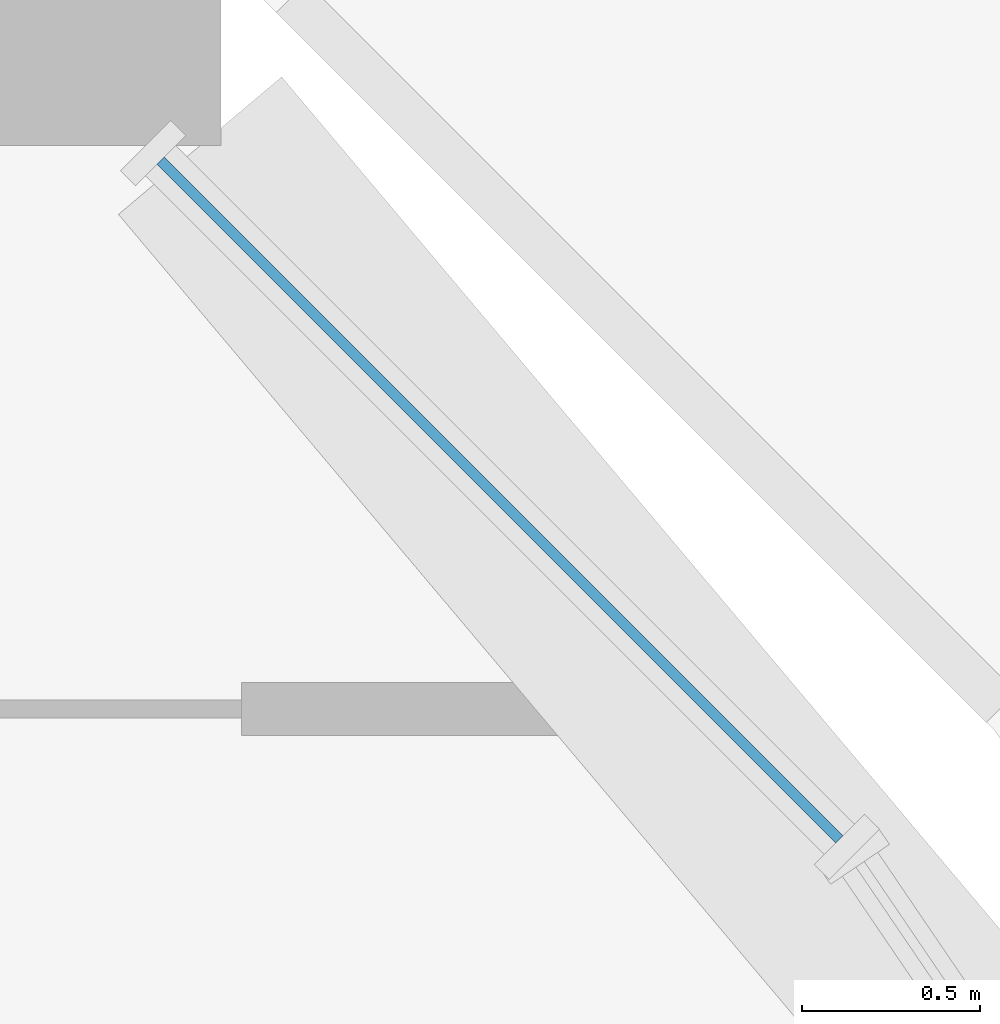
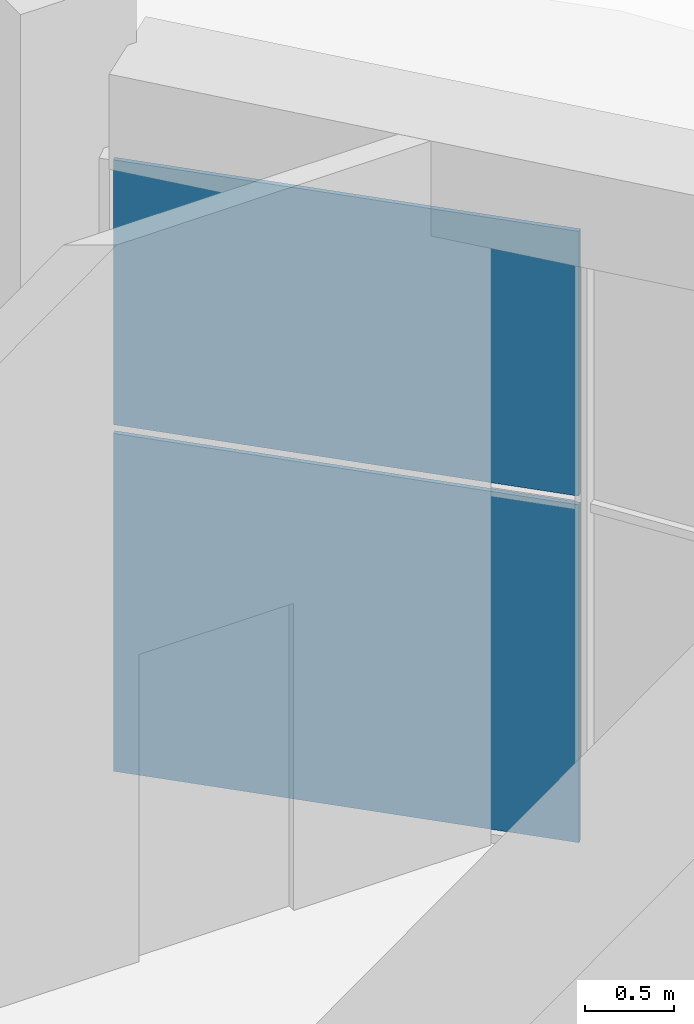
# One storey, part 14 of 24: 2 plates, 1 element without a shape of its own.
"""IFC4 building model written with IfcOpenShell, lengths in metres."""

from ifc_helpers import new_model, si_unit, direction, frame, origin, origin_2d, place, context, subcontext, project, spatial, rectangle, extrude, material, layer, layer_set, type_object, element, aggregate, save


model = new_model("IFC4")

# Units and contexts
model_context = context("Model", 3, precision=1e-05, world=origin(), true_north=direction((0.0, 1.0)))
body_context = subcontext(model_context, "Body", "Model", "MODEL_VIEW")
ifc_project = project(units=[si_unit("LENGTHUNIT", "METRE"), si_unit("AREAUNIT", "SQUARE_METRE"), si_unit("VOLUMEUNIT", "CUBIC_METRE"), si_unit("PLANEANGLEUNIT", "RADIAN"), si_unit("MASSUNIT", "GRAM", prefix="KILO")], contexts=[model_context])

# Site, building, storey
site_placement = place(None, origin())
site = spatial("IfcSite", under=ifc_project, at=site_placement, CompositionType="ELEMENT")
building_placement = place(site_placement, origin())
building = spatial("IfcBuilding", under=site, at=building_placement, Name="Kiln Ring Residences", CompositionType="ELEMENT")
storey_placement = place(building_placement, frame((0.0, 0.0, 283.699951171875)))
storey = spatial("IfcBuildingStorey", under=building, at=storey_placement, Name="L74", CompositionType="ELEMENT", Elevation=283.699951171875)

# Curtain wall, plates
ifc_material_1 = material(Name="Aluminium and glass", Category="aluminium")
ifc_layer_1 = layer(ifc_material_1, 0.199951171875)
ifc_layer_set_1 = layer_set([ifc_layer_1], Name="CW1 CURTAIN WALL")
curtain_wall_type = type_object("IfcCurtainWallType", Name="CW1 CURTAIN WALL", PredefinedType="NOTDEFINED", material=ifc_layer_set_1)
curtain_wall_placement = place(storey_placement, origin())
curtain_wall = element("IfcCurtainWall", 1, at=curtain_wall_placement, inside=storey, type_object=curtain_wall_type, Name="Curtain wall CW1 L74", PredefinedType="NOTDEFINED")
ifc_material_2 = material(Name="Glass, low-e laminated", Category="glass")
ifc_layer_2 = layer(ifc_material_2, 0.028076171875)
ifc_layer_set_2 = layer_set([ifc_layer_2], Name="CW1 PANEL 28")
plate_type = type_object("IfcPlateType", Name="CW1 PANEL 28", PredefinedType="CURTAIN_PANEL", material=ifc_layer_set_2)
plate_1_placement = place(storey_placement, frame((22.39990234375, 16.587890625, 0.06005859375), z_axis=(0.0, 0.0, 1.0), x_axis=(-0.707106781187, 0.707106781187, 0.0)))
plate_1 = element("IfcPlate", 2, at=plate_1_placement, type_object=plate_type, Name="CW1 panel 1.1", PredefinedType="CURTAIN_PANEL", context=body_context, shape_type="SweptSolid", body=[
    extrude(rectangle(XDim=2.69970703125, YDim=0.028076171875, at=origin_2d()), origin(), (0.0, 0.0, 1.0), 2.31005859375),
])
plate_2_placement = place(storey_placement, frame((22.39990234375, 16.587890625, 2.429931640625), z_axis=(0.0, 0.0, 1.0), x_axis=(-0.707106781187, 0.707106781187, 0.0)))
plate_2 = element("IfcPlate", 3, at=plate_2_placement, type_object=plate_type, Name="CW1 panel 1.2", PredefinedType="CURTAIN_PANEL", context=body_context, shape_type="SweptSolid", body=[
    extrude(rectangle(XDim=2.69970703125, YDim=0.028076171875, at=origin_2d()), origin(), (0.0, 0.0, 1.0), 1.81005859375),
])
aggregate(curtain_wall, [plate_1, plate_2])

save(model, "model.ifc")
